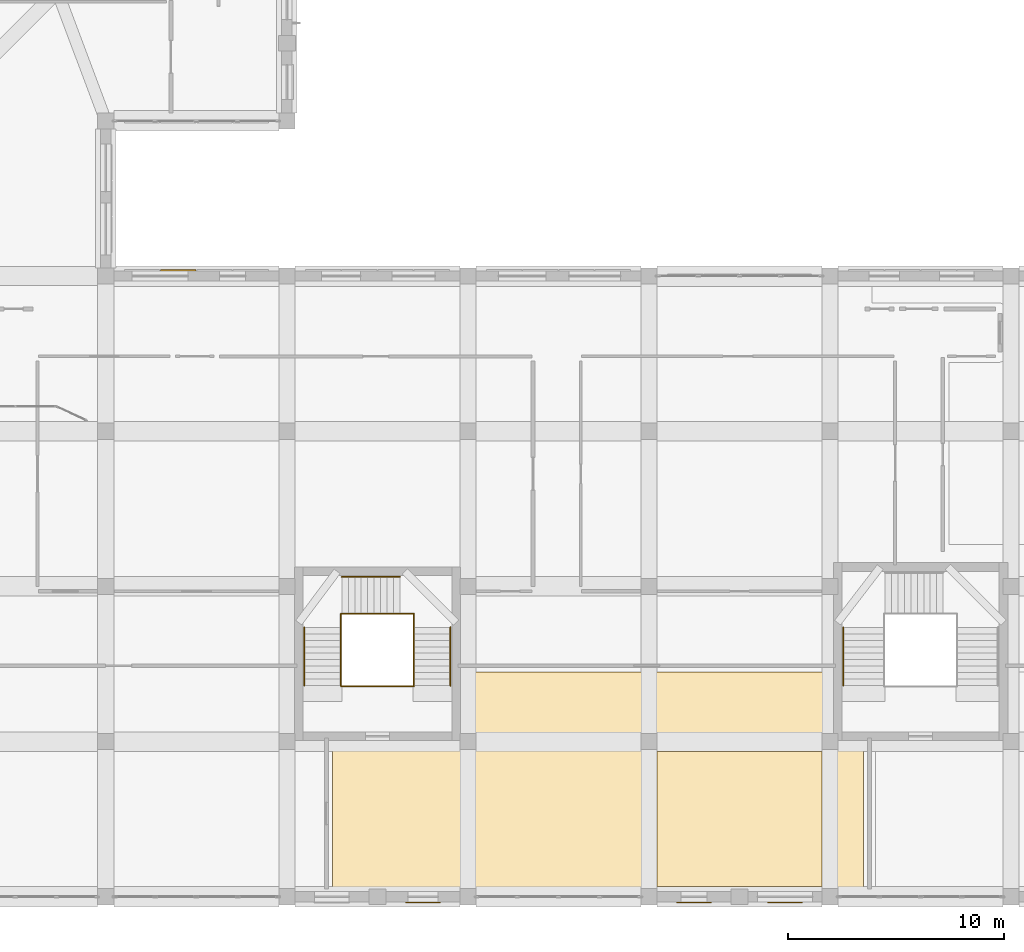
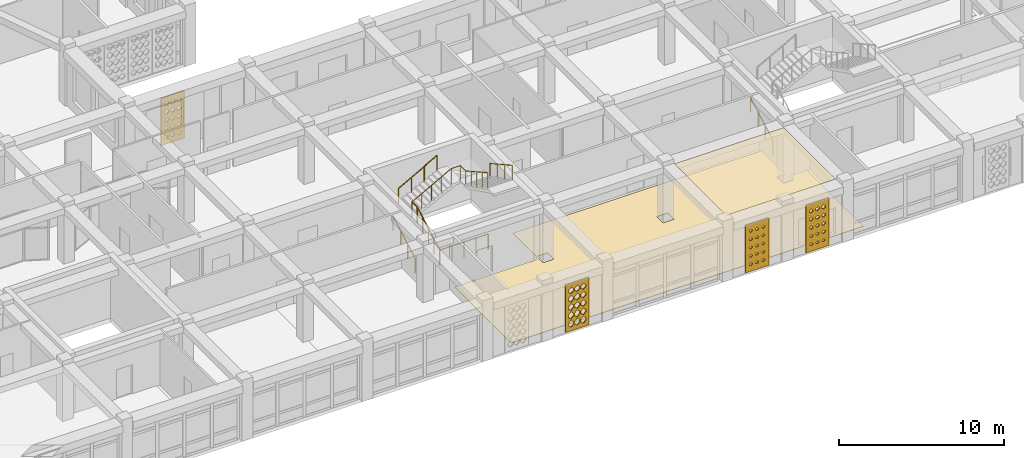
# One storey, part 97 of 121: 8 railings, 6 coverings.
"""IFC4 building model written with IfcOpenShell, lengths in metres."""

from ifc_helpers import new_model, si_unit, derived_unit, direction, frame, origin, origin_2d, place, context, subcontext, project, spatial, polyline, circle, outline, extrude, material, layer, layer_set, type_object, element, save


model = new_model("IFC4")

# Units and contexts
model_context = context("Model", 3, precision=1e-05, world=origin(), true_north=direction((0.0, 1.0)))
body_context = subcontext(model_context, "Body", "Model", "MODEL_VIEW")
ifc_project = project(units=[si_unit("LENGTHUNIT", "METRE"), si_unit("AREAUNIT", "SQUARE_METRE"), si_unit("VOLUMEUNIT", "CUBIC_METRE"), si_unit("PLANEANGLEUNIT", "RADIAN"), si_unit("MASSUNIT", "GRAM", prefix="KILO"), derived_unit("THERMALTRANSMITTANCEUNIT", [(si_unit("POWERUNIT", "WATT"), 1), (si_unit("LENGTHUNIT", "METRE"), -2), (si_unit("THERMODYNAMICTEMPERATUREUNIT", "KELVIN"), -1)])], contexts=[model_context])

# Site, building, storey
site_placement = place(None, origin())
site = spatial("IfcSite", under=ifc_project, at=site_placement, CompositionType="ELEMENT")
building_placement = place(site_placement, origin())
building = spatial("IfcBuilding", under=site, at=building_placement, Name="Veybourne Emporium", CompositionType="ELEMENT")
storey_placement = place(building_placement, frame((0.0, 0.0, 5.39990234375)))
storey = spatial("IfcBuildingStorey", under=building, at=storey_placement, Name="L01", CompositionType="ELEMENT", Elevation=5.39990234375)

# Coverings
ifc_material_1 = material(Name="Mineral Acoustic Ceiling", Category="gypsum")
ifc_layer_1 = layer(ifc_material_1, 0.02490234375)
ifc_layer_set_1 = layer_set([ifc_layer_1], Name="Mineral Acoustic Ceiling")
covering_type_1 = type_object("IfcCoveringType", Name="Ceiling_CLG-01", PredefinedType="CEILING", material=ifc_layer_set_1)
covering_1_placement = place(storey_placement, frame((0.0, 0.0, 4.155029296875)))
element("IfcCovering", 1, at=covering_1_placement, inside=storey, type_object=covering_type_1, Name="L01 coffered acoustic ceiling 04", PredefinedType="CEILING", context=body_context, shape_type="SweptSolid", body=[
    extrude(outline(polyline([(125.626953125, 6.820068359375), (125.626953125, 0.43994140625), (125.625, 0.43994140625), (125.625, 0.472900390625), (117.97509765625, 0.472900390625), (117.97509765625, 0.43994140625), (117.972900390625, 0.43994140625), (117.972900390625, 6.820068359375), (117.97509765625, 6.820068359375), (117.97509765625, 6.751953125), (125.625, 6.751953125), (125.625, 6.820068359375), (125.626953125, 6.820068359375)])), origin(), (0.0, 0.0, 1.0), 0.025146484375),
])
ifc_material_2 = material(Name="European Oak Parquet", Category="wood")
ifc_layer_2 = layer(ifc_material_2, 0.034912109375)
ifc_layer_set_2 = layer_set([ifc_layer_2], Name="European Oak Parquet")
covering_type_2 = type_object("IfcCoveringType", Name="Flooring_FLR-02", PredefinedType="FLOORING", material=ifc_layer_set_2)
covering_2_placement = place(storey_placement, origin())
element("IfcCovering", 2, at=covering_2_placement, inside=storey, type_object=covering_type_2, Name="L01 floor finish 04", PredefinedType="FLOORING", context=body_context, shape_type="SweptSolid", body=[
    extrude(outline(polyline([(108.494873046875, 7.29296875), (108.510498046875, 7.295166015625), (108.52978515625, 7.299072265625), (108.545166015625, 7.302978515625), (108.56396484375, 7.30859375), (108.57861328125, 7.31396484375), (108.5966796875, 7.3212890625), (108.61083984375, 7.328125), (108.628173828125, 7.33740234375), (108.6416015625, 7.345458984375), (108.658203125, 7.3564453125), (108.670654296875, 7.36572265625), (108.685791015625, 7.378173828125), (108.697265625, 7.388671875), (108.71142578125, 7.402587890625), (108.721923828125, 7.414306640625), (108.734375, 7.42919921875), (108.74365234375, 7.44189453125), (108.754638671875, 7.458251953125), (108.7626953125, 7.4716796875), (108.77197265625, 7.489013671875), (108.778564453125, 7.503173828125), (108.7861328125, 7.521484375), (108.79150390625, 7.5361328125), (108.797119140625, 7.554931640625), (108.801025390625, 7.570068359375), (108.8046875, 7.589599609375), (108.80712890625, 7.60498046875), (108.80908203125, 7.62451171875), (108.809814453125, 7.64013671875), (108.81005859375, 7.64990234375), (108.81005859375, 10.43994140625), (126.18994140625, 10.43994140625), (126.18994140625, 7.64990234375), (126.190185546875, 7.64013671875), (126.19091796875, 7.62451171875), (126.19287109375, 7.60498046875), (126.1953125, 7.589599609375), (126.197021484375, 7.580078125), (125.6201171875, 7.580078125), (125.6201171875, 6.820068359375), (126.3798828125, 6.820068359375), (126.3798828125, 7.3330078125), (126.38916015625, 7.328125), (126.4033203125, 7.3212890625), (126.42138671875, 7.31396484375), (126.43603515625, 7.30859375), (126.454833984375, 7.302978515625), (126.47021484375, 7.299072265625), (126.489501953125, 7.295166015625), (126.505126953125, 7.29296875), (126.5244140625, 7.291015625), (126.540283203125, 7.290283203125), (126.550048828125, 7.2900390625), (127.550048828125, 7.2900390625), (127.550048828125, 0.43994140625), (102.909912109375, 0.43994140625), (102.909912109375, 7.2900390625), (108.449951171875, 7.2900390625), (108.459716796875, 7.290283203125), (108.4755859375, 7.291015625), (108.494873046875, 7.29296875)]), holes=[polyline([(117.97998046875, 7.580078125), (117.219970703125, 7.580078125), (117.219970703125, 6.820068359375), (117.97998046875, 6.820068359375), (117.97998046875, 7.580078125)]), polyline([(109.580078125, 7.580078125), (108.820068359375, 7.580078125), (108.820068359375, 6.820068359375), (109.580078125, 6.820068359375), (109.580078125, 7.580078125)])]), origin(), (0.0, 0.0, 1.0), 0.03515625),
])

# Railings
ifc_material_3 = material(Name="Brushed Stainless Steel", Category="steel")
railing_type_1 = type_object("IfcRailingType", Name="Guard_GR-01", PredefinedType="GUARDRAIL", material=ifc_material_3)
railing_1_placement = place(storey_placement, frame((103.31005859375, 9.800048828125, 0.0)))
element("IfcRailing", 3, at=railing_1_placement, inside=storey, type_object=railing_type_1, Name="L01 ST-11 stair guard 1", PredefinedType="GUARDRAIL", context=body_context, shape_type="SweptSolid", body=[
    extrude(circle(Radius=0.02392578125, at=origin_2d()), frame((0.0, 0.0, 1.1259765625), z_axis=(0.0, 0.87415354758, 0.485649642493), x_axis=(-1.0, 0.0, 0.0)), (0.0, 0.0, 1.0), 3.088623046875),
    extrude(circle(Radius=0.02392578125, at=origin_2d()), frame((0.0, 2.699951171875, 2.6259765625), z_axis=(0.0, 1.0, 0.0), x_axis=(-1.0, 0.0, 0.0)), (0.0, 0.0, 1.0), 0.639892578125),
    extrude(circle(Radius=0.02099609375, at=origin_2d()), origin(), (0.0, 0.0, 1.0), 1.101806640625),
    extrude(circle(Radius=0.02099609375, at=origin_2d()), frame((0.0, 0.675048828125, 0.375)), (0.0, 0.0, 1.0), 1.101806640625),
    extrude(circle(Radius=0.02099609375, at=origin_2d()), frame((0.0, 1.35009765625, 0.75)), (0.0, 0.0, 1.0), 1.101806640625),
    extrude(circle(Radius=0.02099609375, at=origin_2d()), frame((0.0, 2.02490234375, 1.125)), (0.0, 0.0, 1.0), 1.101806640625),
    extrude(circle(Radius=0.02099609375, at=origin_2d()), frame((0.0, 2.699951171875, 1.5)), (0.0, 0.0, 1.0), 1.101806640625),
    extrude(circle(Radius=0.02099609375, at=origin_2d()), frame((0.0, 3.33984375, 1.5)), (0.0, 0.0, 1.0), 1.101806640625),
])
railing_2_placement = place(storey_placement, frame((103.31005859375, 13.139892578125, 1.5)))
element("IfcRailing", 4, at=railing_2_placement, inside=storey, type_object=railing_type_1, Name="L01 ST-11 stair guard 2", PredefinedType="GUARDRAIL", context=body_context, shape_type="SweptSolid", body=[
    extrude(circle(Radius=0.02392578125, at=origin_2d()), frame((0.0, 0.0, 1.1259765625), z_axis=(0.87715976088, 0.0, 0.480198660861), x_axis=(0.0, 1.0, 0.0)), (0.0, 0.0, 1.0), 3.123779296875),
    extrude(circle(Radius=0.02392578125, at=origin_2d()), frame((2.739990234375, 0.0, 2.6259765625), z_axis=(1.0, 0.0, 0.0), x_axis=(0.0, 1.0, 0.0)), (0.0, 0.0, 1.0), 0.639892578125),
    extrude(circle(Radius=0.02099609375, at=origin_2d()), origin(), (0.0, 0.0, 1.0), 1.101806640625),
    extrude(circle(Radius=0.02099609375, at=origin_2d()), frame((0.68505859375, 0.0, 0.375)), (0.0, 0.0, 1.0), 1.101806640625),
    extrude(circle(Radius=0.02099609375, at=origin_2d()), frame((1.3701171875, 0.0, 0.75)), (0.0, 0.0, 1.0), 1.101806640625),
    extrude(circle(Radius=0.02099609375, at=origin_2d()), frame((2.054931640625, 0.0, 1.125)), (0.0, 0.0, 1.0), 1.101806640625),
    extrude(circle(Radius=0.02099609375, at=origin_2d()), frame((2.739990234375, 0.0, 1.5)), (0.0, 0.0, 1.0), 1.101806640625),
    extrude(circle(Radius=0.02099609375, at=origin_2d()), frame((3.3798828125, 0.0, 1.5)), (0.0, 0.0, 1.0), 1.101806640625),
])
railing_3_placement = place(storey_placement, frame((106.68994140625, 13.139892578125, 3.0)))
element("IfcRailing", 5, at=railing_3_placement, inside=storey, type_object=railing_type_1, Name="L01 ST-11 stair guard 3", PredefinedType="GUARDRAIL", context=body_context, shape_type="SweptSolid", body=[
    extrude(circle(Radius=0.02392578125, at=origin_2d()), frame((0.0, 0.0, 1.1259765625), z_axis=(0.0, -1.0, 0.0), x_axis=(1.0, 0.0, 0.0)), (0.0, 0.0, 1.0), 0.639892578125),
    extrude(circle(Radius=0.02392578125, at=origin_2d()), frame((0.0, -0.639892578125, 1.1259765625), z_axis=(0.0, -0.87415354758, 0.485649642493), x_axis=(1.0, 0.0, 0.0)), (0.0, 0.0, 1.0), 3.088623046875),
    extrude(circle(Radius=0.02099609375, at=origin_2d()), origin(), (0.0, 0.0, 1.0), 1.101806640625),
    extrude(circle(Radius=0.02099609375, at=origin_2d()), frame((0.0, -0.639892578125, 0.0)), (0.0, 0.0, 1.0), 1.101806640625),
    extrude(circle(Radius=0.02099609375, at=origin_2d()), frame((0.0, -1.31494140625, 0.375)), (0.0, 0.0, 1.0), 1.101806640625),
    extrude(circle(Radius=0.02099609375, at=origin_2d()), frame((0.0, -1.98974609375, 0.75)), (0.0, 0.0, 1.0), 1.101806640625),
    extrude(circle(Radius=0.02099609375, at=origin_2d()), frame((0.0, -2.664794921875, 1.125)), (0.0, 0.0, 1.0), 1.101806640625),
    extrude(circle(Radius=0.02099609375, at=origin_2d()), frame((0.0, -3.33984375, 1.5)), (0.0, 0.0, 1.0), 1.101806640625),
])
railing_4_placement = place(storey_placement, frame((103.31005859375, 9.760009765625, 0.0)))
element("IfcRailing", 6, at=railing_4_placement, inside=storey, type_object=railing_type_1, Name="L01 ST-11 stair guard 4", PredefinedType="GUARDRAIL", context=body_context, shape_type="SweptSolid", body=[
    extrude(circle(Radius=0.02392578125, at=origin_2d()), frame((0.0, 0.0, 1.1259765625), z_axis=(1.0, 0.0, 0.0), x_axis=(0.0, 1.0, 0.0)), (0.0, 0.0, 1.0), 3.3798828125),
    extrude(circle(Radius=0.02099609375, at=origin_2d()), origin(), (0.0, 0.0, 1.0), 1.101806640625),
    extrude(circle(Radius=0.02099609375, at=origin_2d()), frame((0.844970703125, 0.0, 0.0)), (0.0, 0.0, 1.0), 1.101806640625),
    extrude(circle(Radius=0.02099609375, at=origin_2d()), frame((1.68994140625, 0.0, 0.0)), (0.0, 0.0, 1.0), 1.101806640625),
    extrude(circle(Radius=0.02099609375, at=origin_2d()), frame((2.534912109375, 0.0, 0.0)), (0.0, 0.0, 1.0), 1.101806640625),
    extrude(circle(Radius=0.02099609375, at=origin_2d()), frame((3.3798828125, 0.0, 0.0)), (0.0, 0.0, 1.0), 1.101806640625),
])
railing_type_2 = type_object("IfcRailingType", Name="Handrail_HR-01", PredefinedType="HANDRAIL", material=ifc_material_3)
for number, where, name in (
    (7, (126.610107421875, 9.800048828125, 0.150146484375), "L01 ST-06 pitch handrail 1"),
    (8, (101.610107421875, 9.800048828125, 0.150146484375), "L01 ST-11 pitch handrail 1"),
):
    element("IfcRailing", number, at=place(storey_placement, frame(where)), inside=storey, type_object=railing_type_2, Name=name, PredefinedType="HANDRAIL", context=body_context, shape_type="SweptSolid", body=[
        extrude(circle(Radius=0.02392578125, at=origin_2d()), frame((0.0, 0.0, 0.92578125), z_axis=(0.0, 0.87415354758, 0.485649642493), x_axis=(-1.0, 0.0, 0.0)), (0.0, 0.0, 1.0), 3.088623046875),
        extrude(circle(Radius=0.02099609375, at=origin_2d()), frame((0.0, 0.0, -0.14990234375)), (0.0, 0.0, 1.0), 1.0517578125),
        extrude(circle(Radius=0.02099609375, at=origin_2d()), frame((0.0, 0.89990234375, 0.35009765625)), (0.0, 0.0, 1.0), 1.0517578125),
        extrude(circle(Radius=0.02099609375, at=origin_2d()), frame((0.0, 1.800048828125, 0.85009765625)), (0.0, 0.0, 1.0), 1.0517578125),
        extrude(circle(Radius=0.02099609375, at=origin_2d()), frame((0.0, 2.699951171875, 1.35009765625)), (0.0, 0.0, 1.0), 1.0517578125),
    ])
railing_5_placement = place(storey_placement, frame((103.35009765625, 14.840087890625, 1.650146484375)))
element("IfcRailing", 9, at=railing_5_placement, inside=storey, type_object=railing_type_2, Name="L01 ST-11 pitch handrail 2", PredefinedType="HANDRAIL", context=body_context, shape_type="SweptSolid", body=[
    extrude(circle(Radius=0.02392578125, at=origin_2d()), frame((0.0, 0.0, 0.92578125), z_axis=(0.87415354758, 0.0, 0.485649642493), x_axis=(0.0, 1.0, 0.0)), (0.0, 0.0, 1.0), 3.088623046875),
    extrude(circle(Radius=0.02099609375, at=origin_2d()), frame((0.0, 0.0, -0.14990234375)), (0.0, 0.0, 1.0), 1.0517578125),
    extrude(circle(Radius=0.02099609375, at=origin_2d()), frame((0.89990234375, 0.0, 0.35009765625)), (0.0, 0.0, 1.0), 1.0517578125),
    extrude(circle(Radius=0.02099609375, at=origin_2d()), frame((1.800048828125, 0.0, 0.85009765625)), (0.0, 0.0, 1.0), 1.0517578125),
    extrude(circle(Radius=0.02099609375, at=origin_2d()), frame((2.699951171875, 0.0, 1.35009765625)), (0.0, 0.0, 1.0), 1.0517578125),
])
railing_6_placement = place(storey_placement, frame((108.389892578125, 12.5, 3.150146484375)))
element("IfcRailing", 10, at=railing_6_placement, inside=storey, type_object=railing_type_2, Name="L01 ST-11 pitch handrail 3", PredefinedType="HANDRAIL", context=body_context, shape_type="SweptSolid", body=[
    extrude(circle(Radius=0.02392578125, at=origin_2d()), frame((0.0, 0.0, 0.92578125), z_axis=(0.0, -0.87415354758, 0.485649642493), x_axis=(1.0, 0.0, 0.0)), (0.0, 0.0, 1.0), 3.088623046875),
    extrude(circle(Radius=0.02099609375, at=origin_2d()), frame((0.0, 0.0, -0.14990234375)), (0.0, 0.0, 1.0), 1.0517578125),
    extrude(circle(Radius=0.02099609375, at=origin_2d()), frame((0.0, -0.89990234375, 0.35009765625)), (0.0, 0.0, 1.0), 1.0517578125),
    extrude(circle(Radius=0.02099609375, at=origin_2d()), frame((0.0, -1.800048828125, 0.85009765625)), (0.0, 0.0, 1.0), 1.0517578125),
    extrude(circle(Radius=0.02099609375, at=origin_2d()), frame((0.0, -2.699951171875, 1.35009765625)), (0.0, 0.0, 1.0), 1.0517578125),
])

# Coverings
ifc_material_4 = material(Name="Warm-White Perforated Aluminium Screen Alloy", Category="aluminium")
ifc_layer_3 = layer(ifc_material_4, 0.06005859375)
ifc_layer_set_3 = layer_set([ifc_layer_3], Name="Warm-White Perforated Aluminium Screen Alloy")
covering_type_3 = type_object("IfcCoveringType", Name="WaveScreen_SCR-03", PredefinedType="CLADDING", material=ifc_layer_set_3)
covering_3_placement = place(storey_placement, frame((95.760009765625, 29.09814453125, 1.815185546875), z_axis=(0.0, -1.0, 0.0), x_axis=(1.0, 0.0, 0.0)))
element("IfcCovering", 11, at=covering_3_placement, inside=storey, type_object=covering_type_3, Name="L01 wave-perforated aluminium screen SCR-03 (47.2)", PredefinedType="CLADDING", context=body_context, shape_type="SweptSolid", body=[
    extrude(outline(polyline([(-0.81982421875, -1.7548828125), (0.81982421875, -1.7548828125), (0.81982421875, 1.7548828125), (-0.81982421875, 1.7548828125), (-0.81982421875, -1.7548828125)]), holes=[polyline([(-0.433349609375, -1.107666015625), (-0.324951171875, -1.184814453125), (-0.324951171875, -1.271240234375), (-0.433349609375, -1.348388671875), (-0.541748046875, -1.271240234375), (-0.541748046875, -1.184814453125), (-0.433349609375, -1.107666015625)]), polyline([(-0.433349609375, -0.48583984375), (-0.318359375, -0.56787109375), (-0.318359375, -0.66015625), (-0.433349609375, -0.7421875), (-0.548095703125, -0.66015625), (-0.548095703125, -0.56787109375), (-0.433349609375, -0.48583984375)]), polyline([(-0.433349609375, 0.137939453125), (-0.310302734375, 0.0498046875), (-0.310302734375, -0.0498046875), (-0.433349609375, -0.137939453125), (-0.55615234375, -0.0498046875), (-0.55615234375, 0.0498046875), (-0.433349609375, 0.137939453125)]), polyline([(-0.433349609375, 0.763427734375), (-0.301025390625, 0.667724609375), (-0.301025390625, 0.560302734375), (-0.433349609375, 0.464599609375), (-0.565673828125, 0.560302734375), (-0.565673828125, 0.667724609375), (-0.433349609375, 0.763427734375)]), polyline([(-0.433349609375, 1.39013671875), (-0.290771484375, 1.286376953125), (-0.290771484375, 1.169677734375), (-0.433349609375, 1.06591796875), (-0.575927734375, 1.169677734375), (-0.575927734375, 1.286376953125), (-0.433349609375, 1.39013671875)]), polyline([(0.0, -1.1044921875), (0.111083984375, -1.18359375), (0.111083984375, -1.2724609375), (0.0, -1.3515625), (-0.111083984375, -1.2724609375), (-0.111083984375, -1.18359375), (0.0, -1.1044921875)]), polyline([(0.0, -0.481689453125), (0.118408203125, -0.56640625), (0.118408203125, -0.66162109375), (0.0, -0.746337890625), (-0.118408203125, -0.66162109375), (-0.118408203125, -0.56640625), (0.0, -0.481689453125)]), polyline([(0.0, 0.14306640625), (0.126953125, 0.051513671875), (0.126953125, -0.051513671875), (0.0, -0.14306640625), (-0.126953125, -0.051513671875), (-0.126953125, 0.051513671875), (0.0, 0.14306640625)]), polyline([(0.0, 0.76904296875), (0.13671875, 0.669921875), (0.13671875, 0.55810546875), (0.0, 0.458984375), (-0.13671875, 0.55810546875), (-0.13671875, 0.669921875), (0.0, 0.76904296875)]), polyline([(0.0, 1.39599609375), (0.147705078125, 1.28857421875), (0.147705078125, 1.16748046875), (0.0, 1.059814453125), (-0.147705078125, 1.16748046875), (-0.147705078125, 1.28857421875), (0.0, 1.39599609375)]), polyline([(0.433349609375, -1.1005859375), (0.547607421875, -1.18212890625), (0.547607421875, -1.27392578125), (0.433349609375, -1.35546875), (0.319091796875, -1.27392578125), (0.319091796875, -1.18212890625), (0.433349609375, -1.1005859375)]), polyline([(0.433349609375, -0.47705078125), (0.555419921875, -0.564697265625), (0.555419921875, -0.663330078125), (0.433349609375, -0.7509765625), (0.311279296875, -0.663330078125), (0.311279296875, -0.564697265625), (0.433349609375, -0.47705078125)]), polyline([(0.433349609375, 0.148193359375), (0.564697265625, 0.053466796875), (0.564697265625, -0.053466796875), (0.433349609375, -0.148193359375), (0.302001953125, -0.053466796875), (0.302001953125, 0.053466796875), (0.433349609375, 0.148193359375)]), polyline([(0.433349609375, 0.77490234375), (0.574951171875, 0.671875), (0.574951171875, 0.55615234375), (0.433349609375, 0.453125), (0.291748046875, 0.55615234375), (0.291748046875, 0.671875), (0.433349609375, 0.77490234375)]), polyline([(0.433349609375, 1.40234375), (0.5859375, 1.290771484375), (0.5859375, 1.165283203125), (0.433349609375, 1.0537109375), (0.28076171875, 1.165283203125), (0.28076171875, 1.290771484375), (0.433349609375, 1.40234375)])]), origin(), (0.0, 0.0, 1.0), 0.06005859375),
])
ifc_layer_4 = layer(ifc_material_4, 0.06005859375)
ifc_layer_set_4 = layer_set([ifc_layer_4], Name="Warm-White Perforated Aluminium Screen Alloy")
covering_type_4 = type_object("IfcCoveringType", Name="WaveScreen_SCR-04", PredefinedType="CLADDING", material=ifc_layer_set_4)
covering_4_placement = place(storey_placement, frame((107.112548828125, -0.298095703125, 1.815185546875), z_axis=(0.0, 1.0, 0.0), x_axis=(-1.0, 0.0, 0.0)))
element("IfcCovering", 12, at=covering_4_placement, inside=storey, type_object=covering_type_4, Name="L01 wave-perforated aluminium screen SCR-04 (61A.1)", PredefinedType="CLADDING", context=body_context, shape_type="SweptSolid", body=[
    extrude(outline(polyline([(-0.81982421875, -1.7548828125), (0.81982421875, -1.7548828125), (0.81982421875, 1.7548828125), (-0.81982421875, 1.7548828125), (-0.81982421875, -1.7548828125)]), holes=[polyline([(-0.433349609375, -0.9658203125), (-0.2470703125, -1.133544921875), (-0.2470703125, -1.322509765625), (-0.433349609375, -1.489990234375), (-0.61962890625, -1.322509765625), (-0.61962890625, -1.133544921875), (-0.433349609375, -0.9658203125)]), polyline([(-0.433349609375, -0.360595703125), (-0.2470703125, -0.522705078125), (-0.2470703125, -0.705322265625), (-0.433349609375, -0.867431640625), (-0.61962890625, -0.705322265625), (-0.61962890625, -0.522705078125), (-0.433349609375, -0.360595703125)]), polyline([(-0.433349609375, 0.2431640625), (-0.2470703125, 0.08740234375), (-0.2470703125, -0.08740234375), (-0.433349609375, -0.2431640625), (-0.61962890625, -0.08740234375), (-0.61962890625, 0.08740234375), (-0.433349609375, 0.2431640625)]), polyline([(-0.433349609375, 0.84521484375), (-0.2470703125, 0.697265625), (-0.2470703125, 0.53076171875), (-0.433349609375, 0.3828125), (-0.61962890625, 0.53076171875), (-0.61962890625, 0.697265625), (-0.433349609375, 0.84521484375)]), polyline([(-0.433349609375, 1.4462890625), (-0.2470703125, 1.306640625), (-0.2470703125, 1.1494140625), (-0.433349609375, 1.009765625), (-0.61962890625, 1.1494140625), (-0.61962890625, 1.306640625), (-0.433349609375, 1.4462890625)]), polyline([(0.0, -0.964111328125), (0.186279296875, -1.133056640625), (0.186279296875, -1.322998046875), (0.0, -1.491943359375), (-0.186279296875, -1.322998046875), (-0.186279296875, -1.133056640625), (0.0, -0.964111328125)]), polyline([(0.0, -0.356201171875), (0.186279296875, -0.521240234375), (0.186279296875, -0.706787109375), (0.0, -0.87158203125), (-0.186279296875, -0.706787109375), (-0.186279296875, -0.521240234375), (0.0, -0.356201171875)]), polyline([(0.0, 0.248046875), (0.186279296875, 0.08935546875), (0.186279296875, -0.08935546875), (0.0, -0.248046875), (-0.186279296875, -0.08935546875), (-0.186279296875, 0.08935546875), (0.0, 0.248046875)]), polyline([(0.0, 0.850830078125), (0.186279296875, 0.69921875), (0.186279296875, 0.52880859375), (0.0, 0.377197265625), (-0.186279296875, 0.52880859375), (-0.186279296875, 0.69921875), (0.0, 0.850830078125)]), polyline([(0.0, 1.452392578125), (0.186279296875, 1.30859375), (0.186279296875, 1.147216796875), (0.0, 1.003662109375), (-0.186279296875, 1.147216796875), (-0.186279296875, 1.30859375), (0.0, 1.452392578125)]), polyline([(0.433349609375, -0.964111328125), (0.61962890625, -1.133056640625), (0.61962890625, -1.322998046875), (0.433349609375, -1.491943359375), (0.2470703125, -1.322998046875), (0.2470703125, -1.133056640625), (0.433349609375, -0.964111328125)]), polyline([(0.433349609375, -0.3525390625), (0.61962890625, -0.52001953125), (0.61962890625, -0.7080078125), (0.433349609375, -0.87548828125), (0.2470703125, -0.7080078125), (0.2470703125, -0.52001953125), (0.433349609375, -0.3525390625)]), polyline([(0.433349609375, 0.252685546875), (0.61962890625, 0.091064453125), (0.61962890625, -0.091064453125), (0.433349609375, -0.252685546875), (0.2470703125, -0.091064453125), (0.2470703125, 0.091064453125), (0.433349609375, 0.252685546875)]), polyline([(0.433349609375, 0.856201171875), (0.61962890625, 0.701171875), (0.61962890625, 0.52685546875), (0.433349609375, 0.371826171875), (0.2470703125, 0.52685546875), (0.2470703125, 0.701171875), (0.433349609375, 0.856201171875)]), polyline([(0.433349609375, 1.4580078125), (0.61962890625, 1.310791015625), (0.61962890625, 1.145263671875), (0.433349609375, 0.997802734375), (0.2470703125, 1.145263671875), (0.2470703125, 1.310791015625), (0.433349609375, 1.4580078125)])]), origin(), (0.0, 0.0, 1.0), 0.06005859375),
])
covering_5_placement = place(storey_placement, frame((123.91259765625, -0.298095703125, 1.815185546875), z_axis=(0.0, 1.0, 0.0), x_axis=(-1.0, 0.0, 0.0)))
element("IfcCovering", 13, at=covering_5_placement, inside=storey, type_object=covering_type_4, Name="L01 wave-perforated aluminium screen SCR-04 (65A.1)", PredefinedType="CLADDING", context=body_context, shape_type="SweptSolid", body=[
    extrude(outline(polyline([(-0.81982421875, -1.7548828125), (0.81982421875, -1.7548828125), (0.81982421875, 1.7548828125), (-0.81982421875, 1.7548828125), (-0.81982421875, -1.7548828125)]), holes=[polyline([(-0.433349609375, -1.10986328125), (-0.32666015625, -1.185546875), (-0.32666015625, -1.2705078125), (-0.433349609375, -1.34619140625), (-0.5400390625, -1.2705078125), (-0.5400390625, -1.185546875), (-0.433349609375, -1.10986328125)]), polyline([(-0.433349609375, -0.488525390625), (-0.32080078125, -0.56884765625), (-0.32080078125, -0.6591796875), (-0.433349609375, -0.739501953125), (-0.5458984375, -0.6591796875), (-0.5458984375, -0.56884765625), (-0.433349609375, -0.488525390625)]), polyline([(-0.433349609375, 0.134521484375), (-0.313232421875, 0.04833984375), (-0.313232421875, -0.04833984375), (-0.433349609375, -0.134521484375), (-0.553466796875, -0.04833984375), (-0.553466796875, 0.04833984375), (-0.433349609375, 0.134521484375)]), polyline([(-0.433349609375, 0.759521484375), (-0.30419921875, 0.66650390625), (-0.30419921875, 0.5615234375), (-0.433349609375, 0.468505859375), (-0.5625, 0.5615234375), (-0.5625, 0.66650390625), (-0.433349609375, 0.759521484375)]), polyline([(-0.433349609375, 1.3857421875), (-0.294189453125, 1.284912109375), (-0.294189453125, 1.171142578125), (-0.433349609375, 1.0703125), (-0.572509765625, 1.171142578125), (-0.572509765625, 1.284912109375), (-0.433349609375, 1.3857421875)]), polyline([(0.0, -1.1123046875), (0.1044921875, -1.186279296875), (0.1044921875, -1.26953125), (0.0, -1.343505859375), (-0.1044921875, -1.26953125), (-0.1044921875, -1.186279296875), (0.0, -1.1123046875)]), polyline([(0.0, -0.4921875), (0.109619140625, -0.570068359375), (0.109619140625, -0.657958984375), (0.0, -0.73583984375), (-0.109619140625, -0.657958984375), (-0.109619140625, -0.570068359375), (0.0, -0.4921875)]), polyline([(0.0, 0.130126953125), (0.116455078125, 0.046875), (0.116455078125, -0.046875), (0.0, -0.130126953125), (-0.116455078125, -0.046875), (-0.116455078125, 0.046875), (0.0, 0.130126953125)]), polyline([(0.0, 0.75439453125), (0.124755859375, 0.66455078125), (0.124755859375, 0.5634765625), (0.0, 0.4736328125), (-0.124755859375, 0.5634765625), (-0.124755859375, 0.66455078125), (0.0, 0.75439453125)]), polyline([(0.0, 1.3798828125), (0.134521484375, 1.28271484375), (0.134521484375, 1.17333984375), (0.0, 1.075927734375), (-0.134521484375, 1.17333984375), (-0.134521484375, 1.28271484375), (0.0, 1.3798828125)]), polyline([(0.433349609375, -1.114501953125), (0.5361328125, -1.18701171875), (0.5361328125, -1.268798828125), (0.433349609375, -1.341552734375), (0.33056640625, -1.268798828125), (0.33056640625, -1.18701171875), (0.433349609375, -1.114501953125)]), polyline([(0.433349609375, -0.495361328125), (0.54052734375, -0.5712890625), (0.54052734375, -0.65673828125), (0.433349609375, -0.732666015625), (0.326171875, -0.65673828125), (0.326171875, -0.5712890625), (0.433349609375, -0.495361328125)]), polyline([(0.433349609375, 0.126220703125), (0.54638671875, 0.04541015625), (0.54638671875, -0.04541015625), (0.433349609375, -0.126220703125), (0.320068359375, -0.04541015625), (0.320068359375, 0.04541015625), (0.433349609375, 0.126220703125)]), polyline([(0.433349609375, 0.74951171875), (0.55419921875, 0.662841796875), (0.55419921875, 0.565185546875), (0.433349609375, 0.478515625), (0.3125, 0.565185546875), (0.3125, 0.662841796875), (0.433349609375, 0.74951171875)]), polyline([(0.433349609375, 1.37451171875), (0.563232421875, 1.28076171875), (0.563232421875, 1.17529296875), (0.433349609375, 1.081298828125), (0.303466796875, 1.17529296875), (0.303466796875, 1.28076171875), (0.433349609375, 1.37451171875)])]), origin(), (0.0, 0.0, 1.0), 0.06005859375),
])
covering_6_placement = place(storey_placement, frame((119.6875, -0.298095703125, 1.815185546875), z_axis=(0.0, 1.0, 0.0), x_axis=(-1.0, 0.0, 0.0)))
element("IfcCovering", 14, at=covering_6_placement, inside=storey, type_object=covering_type_4, Name="L01 wave-perforated aluminium screen SCR-04 (65B.1)", PredefinedType="CLADDING", context=body_context, shape_type="SweptSolid", body=[
    extrude(outline(polyline([(-0.81982421875, -1.7548828125), (0.81982421875, -1.7548828125), (0.81982421875, 1.7548828125), (-0.81982421875, 1.7548828125), (-0.81982421875, -1.7548828125)]), holes=[polyline([(-0.433349609375, -1.114013671875), (-0.330078125, -1.18701171875), (-0.330078125, -1.26904296875), (-0.433349609375, -1.342041015625), (-0.53662109375, -1.26904296875), (-0.53662109375, -1.18701171875), (-0.433349609375, -1.114013671875)]), polyline([(-0.433349609375, -0.503173828125), (-0.332763671875, -0.57421875), (-0.332763671875, -0.65380859375), (-0.433349609375, -0.724853515625), (-0.533935546875, -0.65380859375), (-0.533935546875, -0.57421875), (-0.433349609375, -0.503173828125)]), polyline([(-0.433349609375, 0.110107421875), (-0.333251953125, 0.03955078125), (-0.333251953125, -0.03955078125), (-0.433349609375, -0.110107421875), (-0.533447265625, -0.03955078125), (-0.533447265625, 0.03955078125), (-0.433349609375, 0.110107421875)]), polyline([(-0.433349609375, 0.7255859375), (-0.331787109375, 0.654296875), (-0.331787109375, 0.57373046875), (-0.433349609375, 0.502197265625), (-0.53466796875, 0.57373046875), (-0.53466796875, 0.654296875), (-0.433349609375, 0.7255859375)]), polyline([(-0.433349609375, 1.34375), (-0.32861328125, 1.269775390625), (-0.32861328125, 1.186279296875), (-0.433349609375, 1.1123046875), (-0.5380859375, 1.186279296875), (-0.5380859375, 1.269775390625), (-0.433349609375, 1.34375)]), polyline([(0.0, -1.11181640625), (0.10498046875, -1.186279296875), (0.10498046875, -1.269775390625), (0.0, -1.34423828125), (-0.10498046875, -1.269775390625), (-0.10498046875, -1.186279296875), (0.0, -1.11181640625)]), polyline([(0.0, -0.501953125), (0.1015625, -0.57373046875), (0.1015625, -0.654296875), (0.0, -0.72607421875), (-0.1015625, -0.654296875), (-0.1015625, -0.57373046875), (0.0, -0.501953125)]), polyline([(0.0, 0.110107421875), (0.10009765625, 0.03955078125), (0.10009765625, -0.03955078125), (0.0, -0.110107421875), (-0.10009765625, -0.03955078125), (-0.10009765625, 0.03955078125), (0.0, 0.110107421875)]), polyline([(0.0, 0.724609375), (0.1005859375, 0.65380859375), (0.1005859375, 0.57421875), (0.0, 0.50341796875), (-0.1005859375, 0.57421875), (-0.1005859375, 0.65380859375), (0.0, 0.724609375)]), polyline([(0.0, 1.341552734375), (0.10302734375, 1.268798828125), (0.10302734375, 1.18701171875), (0.0, 1.114501953125), (-0.10302734375, 1.18701171875), (-0.10302734375, 1.268798828125), (0.0, 1.341552734375)]), polyline([(0.433349609375, -1.109130859375), (0.54052734375, -1.185302734375), (0.54052734375, -1.270751953125), (0.433349609375, -1.346923828125), (0.326171875, -1.270751953125), (0.326171875, -1.185302734375), (0.433349609375, -1.109130859375)]), polyline([(0.433349609375, -0.50048828125), (0.536376953125, -0.572998046875), (0.536376953125, -0.65478515625), (0.433349609375, -0.7275390625), (0.330322265625, -0.65478515625), (0.330322265625, -0.572998046875), (0.433349609375, -0.50048828125)]), polyline([(0.433349609375, 0.110595703125), (0.533935546875, 0.039794921875), (0.533935546875, -0.039794921875), (0.433349609375, -0.110595703125), (0.332763671875, -0.039794921875), (0.332763671875, 0.039794921875), (0.433349609375, 0.110595703125)]), polyline([(0.433349609375, 0.72412109375), (0.533447265625, 0.653564453125), (0.533447265625, 0.574462890625), (0.433349609375, 0.50390625), (0.333251953125, 0.574462890625), (0.333251953125, 0.653564453125), (0.433349609375, 0.72412109375)]), polyline([(0.433349609375, 1.340087890625), (0.534912109375, 1.268310546875), (0.534912109375, 1.187744140625), (0.433349609375, 1.115966796875), (0.331787109375, 1.187744140625), (0.331787109375, 1.268310546875), (0.433349609375, 1.340087890625)])]), origin(), (0.0, 0.0, 1.0), 0.06005859375),
])

save(model, "model.ifc")
